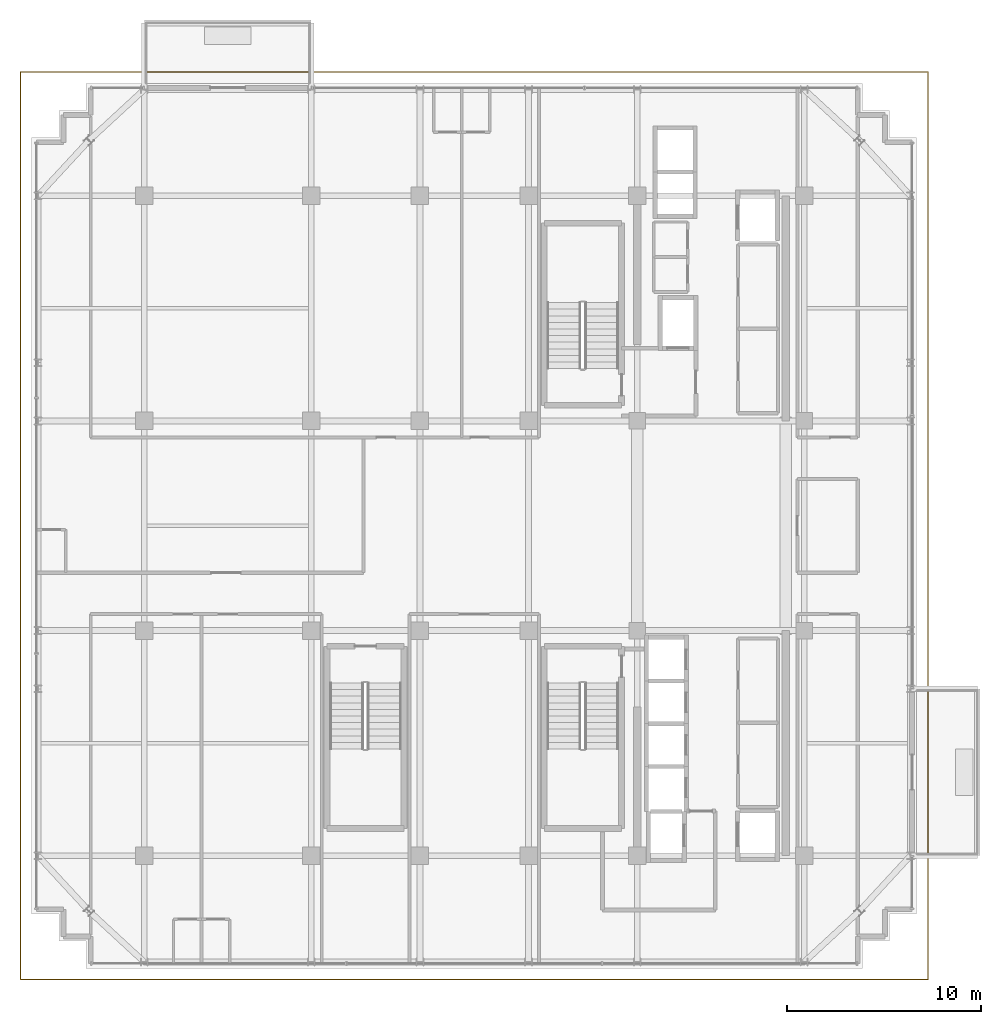
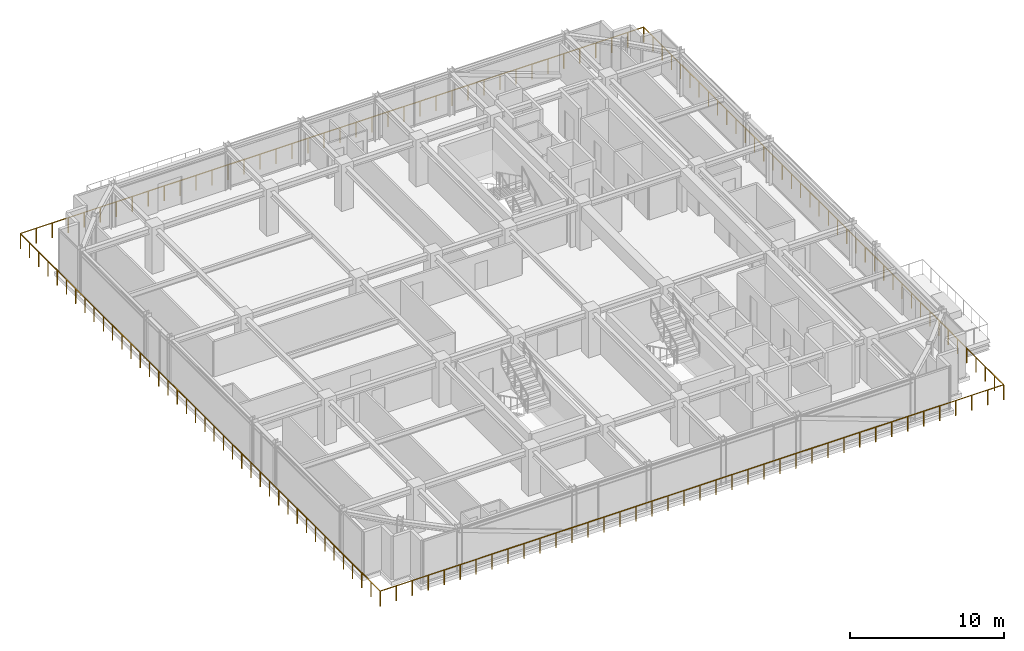
# One storey, part 29 of 32: 2 railings.
"""IFC4 building model written with IfcOpenShell, lengths in metres."""

from ifc_helpers import new_model, si_unit, direction, frame, origin, origin_2d, place, context, subcontext, project, spatial, circle, extrude, material, type_object, element, save


model = new_model("IFC4")

# Units and contexts
model_context = context("Model", 3, precision=1e-05, world=origin(), true_north=direction((0.0, 1.0)))
body_context = subcontext(model_context, "Body", "Model", "MODEL_VIEW")
ifc_project = project(units=[si_unit("LENGTHUNIT", "METRE"), si_unit("AREAUNIT", "SQUARE_METRE"), si_unit("VOLUMEUNIT", "CUBIC_METRE"), si_unit("PLANEANGLEUNIT", "RADIAN"), si_unit("MASSUNIT", "GRAM", prefix="KILO")], contexts=[model_context])

# Site, building, storey
site_placement = place(None, origin())
site = spatial("IfcSite", under=ifc_project, at=site_placement, CompositionType="ELEMENT")
building_placement = place(site_placement, origin())
building = spatial("IfcBuilding", under=site, at=building_placement, Name="Nahalor Promenade Grand Hotel", CompositionType="ELEMENT")
storey_placement = place(building_placement, frame((0.0, 0.0, 266.300048828125)))
storey = spatial("IfcBuildingStorey", under=building, at=storey_placement, Name="L68", CompositionType="ELEMENT", Elevation=266.300048828125)

# Railings
ifc_material = material(Name="Anodised Bronze Aluminium EN AW-6063 T6", Category="aluminium")
railing_type = type_object("IfcRailingType", Name="Bronze Balcony Guardrail 1200 mm", PredefinedType="GUARDRAIL", material=ifc_material)
railing_1_placement = place(storey_placement, frame((-23.3798828125, 23.3798828125, 0.0)))
element("IfcRailing", 1, at=railing_1_placement, inside=storey, type_object=railing_type, Name="RL-L68-SB1", PredefinedType="GUARDRAIL", context=body_context, shape_type="SweptSolid", body=[
    extrude(circle(Radius=0.024048, at=origin_2d()), frame((0.0, 0.0, 1.17578125), z_axis=(0.0, -1.0, 0.0), x_axis=(1.0, 0.0, 0.0)), (0.0, 0.0, 1.0), 46.7578125),
    extrude(circle(Radius=0.024048, at=origin_2d()), frame((0.001953125, -46.759765625, 1.17578125), z_axis=(1.0, 0.0, 0.0), x_axis=(0.0, 1.0, 0.0)), (0.0, 0.0, 1.0), 46.7578125),
    extrude(circle(Radius=0.020996, at=origin_2d()), origin(), (0.0, 0.0, 1.0), 1.14990234375),
    extrude(circle(Radius=0.020996, at=origin_2d()), frame((0.0, -1.198974609375, 0.0)), (0.0, 0.0, 1.0), 1.14990234375),
    extrude(circle(Radius=0.020996, at=origin_2d()), frame((0.0, -2.39794921875, 0.0)), (0.0, 0.0, 1.0), 1.14990234375),
    extrude(circle(Radius=0.020996, at=origin_2d()), frame((0.0, -3.596923828125, 0.0)), (0.0, 0.0, 1.0), 1.14990234375),
    extrude(circle(Radius=0.020996, at=origin_2d()), frame((0.0, -4.7958984375, 0.0)), (0.0, 0.0, 1.0), 1.14990234375),
    extrude(circle(Radius=0.020996, at=origin_2d()), frame((0.0, -5.994873046875, 0.0)), (0.0, 0.0, 1.0), 1.14990234375),
    extrude(circle(Radius=0.020996, at=origin_2d()), frame((0.0, -7.19384765625, 0.0)), (0.0, 0.0, 1.0), 1.14990234375),
    extrude(circle(Radius=0.020996, at=origin_2d()), frame((0.0, -8.392822265625, 0.0)), (0.0, 0.0, 1.0), 1.14990234375),
    extrude(circle(Radius=0.020996, at=origin_2d()), frame((0.0, -9.591796875, 0.0)), (0.0, 0.0, 1.0), 1.14990234375),
    extrude(circle(Radius=0.020996, at=origin_2d()), frame((0.0, -10.790771484375, 0.0)), (0.0, 0.0, 1.0), 1.14990234375),
    extrude(circle(Radius=0.020996, at=origin_2d()), frame((0.0, -11.98974609375, 0.0)), (0.0, 0.0, 1.0), 1.14990234375),
    extrude(circle(Radius=0.020996, at=origin_2d()), frame((0.0, -13.188720703125, 0.0)), (0.0, 0.0, 1.0), 1.14990234375),
    extrude(circle(Radius=0.020996, at=origin_2d()), frame((0.0, -14.3876953125, 0.0)), (0.0, 0.0, 1.0), 1.14990234375),
    extrude(circle(Radius=0.020996, at=origin_2d()), frame((0.0, -15.586669921875, 0.0)), (0.0, 0.0, 1.0), 1.14990234375),
    extrude(circle(Radius=0.020996, at=origin_2d()), frame((0.0, -16.78564453125, 0.0)), (0.0, 0.0, 1.0), 1.14990234375),
    extrude(circle(Radius=0.020996, at=origin_2d()), frame((0.0, -17.984619140625, 0.0)), (0.0, 0.0, 1.0), 1.14990234375),
    extrude(circle(Radius=0.020996, at=origin_2d()), frame((0.0, -19.18359375, 0.0)), (0.0, 0.0, 1.0), 1.14990234375),
    extrude(circle(Radius=0.020996, at=origin_2d()), frame((0.0, -20.382568359375, 0.0)), (0.0, 0.0, 1.0), 1.14990234375),
    extrude(circle(Radius=0.020996, at=origin_2d()), frame((0.0, -21.58154296875, 0.0)), (0.0, 0.0, 1.0), 1.14990234375),
    extrude(circle(Radius=0.020996, at=origin_2d()), frame((0.0, -22.780517578125, 0.0)), (0.0, 0.0, 1.0), 1.14990234375),
    extrude(circle(Radius=0.020996, at=origin_2d()), frame((0.0, -23.979248046875, 0.0)), (0.0, 0.0, 1.0), 1.14990234375),
    extrude(circle(Radius=0.020996, at=origin_2d()), frame((0.0, -25.17822265625, 0.0)), (0.0, 0.0, 1.0), 1.14990234375),
    extrude(circle(Radius=0.020996, at=origin_2d()), frame((0.0, -26.377197265625, 0.0)), (0.0, 0.0, 1.0), 1.14990234375),
    extrude(circle(Radius=0.020996, at=origin_2d()), frame((0.0, -27.576171875, 0.0)), (0.0, 0.0, 1.0), 1.14990234375),
    extrude(circle(Radius=0.020996, at=origin_2d()), frame((0.0, -28.775146484375, 0.0)), (0.0, 0.0, 1.0), 1.14990234375),
    extrude(circle(Radius=0.020996, at=origin_2d()), frame((0.0, -29.97412109375, 0.0)), (0.0, 0.0, 1.0), 1.14990234375),
    extrude(circle(Radius=0.020996, at=origin_2d()), frame((0.0, -31.173095703125, 0.0)), (0.0, 0.0, 1.0), 1.14990234375),
    extrude(circle(Radius=0.020996, at=origin_2d()), frame((0.0, -32.3720703125, 0.0)), (0.0, 0.0, 1.0), 1.14990234375),
    extrude(circle(Radius=0.020996, at=origin_2d()), frame((0.0, -33.571044921875, 0.0)), (0.0, 0.0, 1.0), 1.14990234375),
    extrude(circle(Radius=0.020996, at=origin_2d()), frame((0.0, -34.77001953125, 0.0)), (0.0, 0.0, 1.0), 1.14990234375),
    extrude(circle(Radius=0.020996, at=origin_2d()), frame((0.0, -35.968994140625, 0.0)), (0.0, 0.0, 1.0), 1.14990234375),
    extrude(circle(Radius=0.020996, at=origin_2d()), frame((0.0, -37.16796875, 0.0)), (0.0, 0.0, 1.0), 1.14990234375),
    extrude(circle(Radius=0.020996, at=origin_2d()), frame((0.0, -38.366943359375, 0.0)), (0.0, 0.0, 1.0), 1.14990234375),
    extrude(circle(Radius=0.020996, at=origin_2d()), frame((0.0, -39.56591796875, 0.0)), (0.0, 0.0, 1.0), 1.14990234375),
    extrude(circle(Radius=0.020996, at=origin_2d()), frame((0.0, -40.764892578125, 0.0)), (0.0, 0.0, 1.0), 1.14990234375),
    extrude(circle(Radius=0.020996, at=origin_2d()), frame((0.0, -41.9638671875, 0.0)), (0.0, 0.0, 1.0), 1.14990234375),
    extrude(circle(Radius=0.020996, at=origin_2d()), frame((0.0, -43.162841796875, 0.0)), (0.0, 0.0, 1.0), 1.14990234375),
    extrude(circle(Radius=0.020996, at=origin_2d()), frame((0.0, -44.36181640625, 0.0)), (0.0, 0.0, 1.0), 1.14990234375),
    extrude(circle(Radius=0.020996, at=origin_2d()), frame((0.0, -45.560791015625, 0.0)), (0.0, 0.0, 1.0), 1.14990234375),
    extrude(circle(Radius=0.020996, at=origin_2d()), frame((0.0, -46.759765625, 0.0)), (0.0, 0.0, 1.0), 1.14990234375),
    extrude(circle(Radius=0.020996, at=origin_2d()), frame((1.198974609375, -46.759765625, 0.0)), (0.0, 0.0, 1.0), 1.14990234375),
    extrude(circle(Radius=0.020996, at=origin_2d()), frame((2.39794921875, -46.759765625, 0.0)), (0.0, 0.0, 1.0), 1.14990234375),
    extrude(circle(Radius=0.020996, at=origin_2d()), frame((3.596923828125, -46.759765625, 0.0)), (0.0, 0.0, 1.0), 1.14990234375),
    extrude(circle(Radius=0.020996, at=origin_2d()), frame((4.7958984375, -46.759765625, 0.0)), (0.0, 0.0, 1.0), 1.14990234375),
    extrude(circle(Radius=0.020996, at=origin_2d()), frame((5.994873046875, -46.759765625, 0.0)), (0.0, 0.0, 1.0), 1.14990234375),
    extrude(circle(Radius=0.020996, at=origin_2d()), frame((7.19384765625, -46.759765625, 0.0)), (0.0, 0.0, 1.0), 1.14990234375),
    extrude(circle(Radius=0.020996, at=origin_2d()), frame((8.392822265625, -46.759765625, 0.0)), (0.0, 0.0, 1.0), 1.14990234375),
    extrude(circle(Radius=0.020996, at=origin_2d()), frame((9.591796875, -46.759765625, 0.0)), (0.0, 0.0, 1.0), 1.14990234375),
    extrude(circle(Radius=0.020996, at=origin_2d()), frame((10.790771484375, -46.759765625, 0.0)), (0.0, 0.0, 1.0), 1.14990234375),
    extrude(circle(Radius=0.020996, at=origin_2d()), frame((11.98974609375, -46.759765625, 0.0)), (0.0, 0.0, 1.0), 1.14990234375),
    extrude(circle(Radius=0.020996, at=origin_2d()), frame((13.188720703125, -46.759765625, 0.0)), (0.0, 0.0, 1.0), 1.14990234375),
    extrude(circle(Radius=0.020996, at=origin_2d()), frame((14.3876953125, -46.759765625, 0.0)), (0.0, 0.0, 1.0), 1.14990234375),
    extrude(circle(Radius=0.020996, at=origin_2d()), frame((15.586669921875, -46.759765625, 0.0)), (0.0, 0.0, 1.0), 1.14990234375),
    extrude(circle(Radius=0.020996, at=origin_2d()), frame((16.78564453125, -46.759765625, 0.0)), (0.0, 0.0, 1.0), 1.14990234375),
    extrude(circle(Radius=0.020996, at=origin_2d()), frame((17.984619140625, -46.759765625, 0.0)), (0.0, 0.0, 1.0), 1.14990234375),
    extrude(circle(Radius=0.020996, at=origin_2d()), frame((19.18359375, -46.759765625, 0.0)), (0.0, 0.0, 1.0), 1.14990234375),
    extrude(circle(Radius=0.020996, at=origin_2d()), frame((20.382568359375, -46.759765625, 0.0)), (0.0, 0.0, 1.0), 1.14990234375),
    extrude(circle(Radius=0.020996, at=origin_2d()), frame((21.58154296875, -46.759765625, 0.0)), (0.0, 0.0, 1.0), 1.14990234375),
    extrude(circle(Radius=0.020996, at=origin_2d()), frame((22.780517578125, -46.759765625, 0.0)), (0.0, 0.0, 1.0), 1.14990234375),
    extrude(circle(Radius=0.020996, at=origin_2d()), frame((23.979248046875, -46.759765625, 0.0)), (0.0, 0.0, 1.0), 1.14990234375),
    extrude(circle(Radius=0.020996, at=origin_2d()), frame((25.17822265625, -46.759765625, 0.0)), (0.0, 0.0, 1.0), 1.14990234375),
    extrude(circle(Radius=0.020996, at=origin_2d()), frame((26.377197265625, -46.759765625, 0.0)), (0.0, 0.0, 1.0), 1.14990234375),
    extrude(circle(Radius=0.020996, at=origin_2d()), frame((27.576171875, -46.759765625, 0.0)), (0.0, 0.0, 1.0), 1.14990234375),
    extrude(circle(Radius=0.020996, at=origin_2d()), frame((28.775146484375, -46.759765625, 0.0)), (0.0, 0.0, 1.0), 1.14990234375),
    extrude(circle(Radius=0.020996, at=origin_2d()), frame((29.97412109375, -46.759765625, 0.0)), (0.0, 0.0, 1.0), 1.14990234375),
    extrude(circle(Radius=0.020996, at=origin_2d()), frame((31.173095703125, -46.759765625, 0.0)), (0.0, 0.0, 1.0), 1.14990234375),
    extrude(circle(Radius=0.020996, at=origin_2d()), frame((32.3720703125, -46.759765625, 0.0)), (0.0, 0.0, 1.0), 1.14990234375),
    extrude(circle(Radius=0.020996, at=origin_2d()), frame((33.571044921875, -46.759765625, 0.0)), (0.0, 0.0, 1.0), 1.14990234375),
    extrude(circle(Radius=0.020996, at=origin_2d()), frame((34.77001953125, -46.759765625, 0.0)), (0.0, 0.0, 1.0), 1.14990234375),
    extrude(circle(Radius=0.020996, at=origin_2d()), frame((35.968994140625, -46.759765625, 0.0)), (0.0, 0.0, 1.0), 1.14990234375),
    extrude(circle(Radius=0.020996, at=origin_2d()), frame((37.16796875, -46.759765625, 0.0)), (0.0, 0.0, 1.0), 1.14990234375),
    extrude(circle(Radius=0.020996, at=origin_2d()), frame((38.366943359375, -46.759765625, 0.0)), (0.0, 0.0, 1.0), 1.14990234375),
    extrude(circle(Radius=0.020996, at=origin_2d()), frame((39.56591796875, -46.759765625, 0.0)), (0.0, 0.0, 1.0), 1.14990234375),
    extrude(circle(Radius=0.020996, at=origin_2d()), frame((40.764892578125, -46.759765625, 0.0)), (0.0, 0.0, 1.0), 1.14990234375),
    extrude(circle(Radius=0.020996, at=origin_2d()), frame((41.9638671875, -46.759765625, 0.0)), (0.0, 0.0, 1.0), 1.14990234375),
    extrude(circle(Radius=0.020996, at=origin_2d()), frame((43.162841796875, -46.759765625, 0.0)), (0.0, 0.0, 1.0), 1.14990234375),
    extrude(circle(Radius=0.020996, at=origin_2d()), frame((44.36181640625, -46.759765625, 0.0)), (0.0, 0.0, 1.0), 1.14990234375),
    extrude(circle(Radius=0.020996, at=origin_2d()), frame((45.560791015625, -46.759765625, 0.0)), (0.0, 0.0, 1.0), 1.14990234375),
    extrude(circle(Radius=0.020996, at=origin_2d()), frame((46.759765625, -46.759765625, 0.0)), (0.0, 0.0, 1.0), 1.14990234375),
])
railing_2_placement = place(storey_placement, frame((23.3798828125, -23.3798828125, 0.0)))
element("IfcRailing", 2, at=railing_2_placement, inside=storey, type_object=railing_type, Name="RL-L68-SB2", PredefinedType="GUARDRAIL", context=body_context, shape_type="SweptSolid", body=[
    extrude(circle(Radius=0.024048, at=origin_2d()), frame((0.0, 0.0, 1.17578125), z_axis=(0.0, 1.0, 0.0), x_axis=(-1.0, 0.0, 0.0)), (0.0, 0.0, 1.0), 46.7578125),
    extrude(circle(Radius=0.024048, at=origin_2d()), frame((-0.001953125, 46.759765625, 1.17578125), z_axis=(-1.0, 0.0, 0.0), x_axis=(0.0, -1.0, 0.0)), (0.0, 0.0, 1.0), 46.7578125),
    extrude(circle(Radius=0.020996, at=origin_2d()), origin(), (0.0, 0.0, 1.0), 1.14990234375),
    extrude(circle(Radius=0.020996, at=origin_2d()), frame((0.0, 1.198974609375, 0.0)), (0.0, 0.0, 1.0), 1.14990234375),
    extrude(circle(Radius=0.020996, at=origin_2d()), frame((0.0, 2.39794921875, 0.0)), (0.0, 0.0, 1.0), 1.14990234375),
    extrude(circle(Radius=0.020996, at=origin_2d()), frame((0.0, 3.596923828125, 0.0)), (0.0, 0.0, 1.0), 1.14990234375),
    extrude(circle(Radius=0.020996, at=origin_2d()), frame((0.0, 4.7958984375, 0.0)), (0.0, 0.0, 1.0), 1.14990234375),
    extrude(circle(Radius=0.020996, at=origin_2d()), frame((0.0, 5.994873046875, 0.0)), (0.0, 0.0, 1.0), 1.14990234375),
    extrude(circle(Radius=0.020996, at=origin_2d()), frame((0.0, 7.19384765625, 0.0)), (0.0, 0.0, 1.0), 1.14990234375),
    extrude(circle(Radius=0.020996, at=origin_2d()), frame((0.0, 8.392822265625, 0.0)), (0.0, 0.0, 1.0), 1.14990234375),
    extrude(circle(Radius=0.020996, at=origin_2d()), frame((0.0, 9.591796875, 0.0)), (0.0, 0.0, 1.0), 1.14990234375),
    extrude(circle(Radius=0.020996, at=origin_2d()), frame((0.0, 10.790771484375, 0.0)), (0.0, 0.0, 1.0), 1.14990234375),
    extrude(circle(Radius=0.020996, at=origin_2d()), frame((0.0, 11.98974609375, 0.0)), (0.0, 0.0, 1.0), 1.14990234375),
    extrude(circle(Radius=0.020996, at=origin_2d()), frame((0.0, 13.188720703125, 0.0)), (0.0, 0.0, 1.0), 1.14990234375),
    extrude(circle(Radius=0.020996, at=origin_2d()), frame((0.0, 14.3876953125, 0.0)), (0.0, 0.0, 1.0), 1.14990234375),
    extrude(circle(Radius=0.020996, at=origin_2d()), frame((0.0, 15.586669921875, 0.0)), (0.0, 0.0, 1.0), 1.14990234375),
    extrude(circle(Radius=0.020996, at=origin_2d()), frame((0.0, 16.78564453125, 0.0)), (0.0, 0.0, 1.0), 1.14990234375),
    extrude(circle(Radius=0.020996, at=origin_2d()), frame((0.0, 17.984619140625, 0.0)), (0.0, 0.0, 1.0), 1.14990234375),
    extrude(circle(Radius=0.020996, at=origin_2d()), frame((0.0, 19.18359375, 0.0)), (0.0, 0.0, 1.0), 1.14990234375),
    extrude(circle(Radius=0.020996, at=origin_2d()), frame((0.0, 20.382568359375, 0.0)), (0.0, 0.0, 1.0), 1.14990234375),
    extrude(circle(Radius=0.020996, at=origin_2d()), frame((0.0, 21.58154296875, 0.0)), (0.0, 0.0, 1.0), 1.14990234375),
    extrude(circle(Radius=0.020996, at=origin_2d()), frame((0.0, 22.780517578125, 0.0)), (0.0, 0.0, 1.0), 1.14990234375),
    extrude(circle(Radius=0.020996, at=origin_2d()), frame((0.0, 23.979248046875, 0.0)), (0.0, 0.0, 1.0), 1.14990234375),
    extrude(circle(Radius=0.020996, at=origin_2d()), frame((0.0, 25.17822265625, 0.0)), (0.0, 0.0, 1.0), 1.14990234375),
    extrude(circle(Radius=0.020996, at=origin_2d()), frame((0.0, 26.377197265625, 0.0)), (0.0, 0.0, 1.0), 1.14990234375),
    extrude(circle(Radius=0.020996, at=origin_2d()), frame((0.0, 27.576171875, 0.0)), (0.0, 0.0, 1.0), 1.14990234375),
    extrude(circle(Radius=0.020996, at=origin_2d()), frame((0.0, 28.775146484375, 0.0)), (0.0, 0.0, 1.0), 1.14990234375),
    extrude(circle(Radius=0.020996, at=origin_2d()), frame((0.0, 29.97412109375, 0.0)), (0.0, 0.0, 1.0), 1.14990234375),
    extrude(circle(Radius=0.020996, at=origin_2d()), frame((0.0, 31.173095703125, 0.0)), (0.0, 0.0, 1.0), 1.14990234375),
    extrude(circle(Radius=0.020996, at=origin_2d()), frame((0.0, 32.3720703125, 0.0)), (0.0, 0.0, 1.0), 1.14990234375),
    extrude(circle(Radius=0.020996, at=origin_2d()), frame((0.0, 33.571044921875, 0.0)), (0.0, 0.0, 1.0), 1.14990234375),
    extrude(circle(Radius=0.020996, at=origin_2d()), frame((0.0, 34.77001953125, 0.0)), (0.0, 0.0, 1.0), 1.14990234375),
    extrude(circle(Radius=0.020996, at=origin_2d()), frame((0.0, 35.968994140625, 0.0)), (0.0, 0.0, 1.0), 1.14990234375),
    extrude(circle(Radius=0.020996, at=origin_2d()), frame((0.0, 37.16796875, 0.0)), (0.0, 0.0, 1.0), 1.14990234375),
    extrude(circle(Radius=0.020996, at=origin_2d()), frame((0.0, 38.366943359375, 0.0)), (0.0, 0.0, 1.0), 1.14990234375),
    extrude(circle(Radius=0.020996, at=origin_2d()), frame((0.0, 39.56591796875, 0.0)), (0.0, 0.0, 1.0), 1.14990234375),
    extrude(circle(Radius=0.020996, at=origin_2d()), frame((0.0, 40.764892578125, 0.0)), (0.0, 0.0, 1.0), 1.14990234375),
    extrude(circle(Radius=0.020996, at=origin_2d()), frame((0.0, 41.9638671875, 0.0)), (0.0, 0.0, 1.0), 1.14990234375),
    extrude(circle(Radius=0.020996, at=origin_2d()), frame((0.0, 43.162841796875, 0.0)), (0.0, 0.0, 1.0), 1.14990234375),
    extrude(circle(Radius=0.020996, at=origin_2d()), frame((0.0, 44.36181640625, 0.0)), (0.0, 0.0, 1.0), 1.14990234375),
    extrude(circle(Radius=0.020996, at=origin_2d()), frame((0.0, 45.560791015625, 0.0)), (0.0, 0.0, 1.0), 1.14990234375),
    extrude(circle(Radius=0.020996, at=origin_2d()), frame((0.0, 46.759765625, 0.0)), (0.0, 0.0, 1.0), 1.14990234375),
    extrude(circle(Radius=0.020996, at=origin_2d()), frame((-1.198974609375, 46.759765625, 0.0)), (0.0, 0.0, 1.0), 1.14990234375),
    extrude(circle(Radius=0.020996, at=origin_2d()), frame((-2.39794921875, 46.759765625, 0.0)), (0.0, 0.0, 1.0), 1.14990234375),
    extrude(circle(Radius=0.020996, at=origin_2d()), frame((-3.596923828125, 46.759765625, 0.0)), (0.0, 0.0, 1.0), 1.14990234375),
    extrude(circle(Radius=0.020996, at=origin_2d()), frame((-4.7958984375, 46.759765625, 0.0)), (0.0, 0.0, 1.0), 1.14990234375),
    extrude(circle(Radius=0.020996, at=origin_2d()), frame((-5.994873046875, 46.759765625, 0.0)), (0.0, 0.0, 1.0), 1.14990234375),
    extrude(circle(Radius=0.020996, at=origin_2d()), frame((-7.19384765625, 46.759765625, 0.0)), (0.0, 0.0, 1.0), 1.14990234375),
    extrude(circle(Radius=0.020996, at=origin_2d()), frame((-8.392822265625, 46.759765625, 0.0)), (0.0, 0.0, 1.0), 1.14990234375),
    extrude(circle(Radius=0.020996, at=origin_2d()), frame((-9.591796875, 46.759765625, 0.0)), (0.0, 0.0, 1.0), 1.14990234375),
    extrude(circle(Radius=0.020996, at=origin_2d()), frame((-10.790771484375, 46.759765625, 0.0)), (0.0, 0.0, 1.0), 1.14990234375),
    extrude(circle(Radius=0.020996, at=origin_2d()), frame((-11.98974609375, 46.759765625, 0.0)), (0.0, 0.0, 1.0), 1.14990234375),
    extrude(circle(Radius=0.020996, at=origin_2d()), frame((-13.188720703125, 46.759765625, 0.0)), (0.0, 0.0, 1.0), 1.14990234375),
    extrude(circle(Radius=0.020996, at=origin_2d()), frame((-14.3876953125, 46.759765625, 0.0)), (0.0, 0.0, 1.0), 1.14990234375),
    extrude(circle(Radius=0.020996, at=origin_2d()), frame((-15.586669921875, 46.759765625, 0.0)), (0.0, 0.0, 1.0), 1.14990234375),
    extrude(circle(Radius=0.020996, at=origin_2d()), frame((-16.78564453125, 46.759765625, 0.0)), (0.0, 0.0, 1.0), 1.14990234375),
    extrude(circle(Radius=0.020996, at=origin_2d()), frame((-17.984619140625, 46.759765625, 0.0)), (0.0, 0.0, 1.0), 1.14990234375),
    extrude(circle(Radius=0.020996, at=origin_2d()), frame((-19.18359375, 46.759765625, 0.0)), (0.0, 0.0, 1.0), 1.14990234375),
    extrude(circle(Radius=0.020996, at=origin_2d()), frame((-20.382568359375, 46.759765625, 0.0)), (0.0, 0.0, 1.0), 1.14990234375),
    extrude(circle(Radius=0.020996, at=origin_2d()), frame((-21.58154296875, 46.759765625, 0.0)), (0.0, 0.0, 1.0), 1.14990234375),
    extrude(circle(Radius=0.020996, at=origin_2d()), frame((-22.780517578125, 46.759765625, 0.0)), (0.0, 0.0, 1.0), 1.14990234375),
    extrude(circle(Radius=0.020996, at=origin_2d()), frame((-23.979248046875, 46.759765625, 0.0)), (0.0, 0.0, 1.0), 1.14990234375),
    extrude(circle(Radius=0.020996, at=origin_2d()), frame((-25.17822265625, 46.759765625, 0.0)), (0.0, 0.0, 1.0), 1.14990234375),
    extrude(circle(Radius=0.020996, at=origin_2d()), frame((-26.377197265625, 46.759765625, 0.0)), (0.0, 0.0, 1.0), 1.14990234375),
    extrude(circle(Radius=0.020996, at=origin_2d()), frame((-27.576171875, 46.759765625, 0.0)), (0.0, 0.0, 1.0), 1.14990234375),
    extrude(circle(Radius=0.020996, at=origin_2d()), frame((-28.775146484375, 46.759765625, 0.0)), (0.0, 0.0, 1.0), 1.14990234375),
    extrude(circle(Radius=0.020996, at=origin_2d()), frame((-29.97412109375, 46.759765625, 0.0)), (0.0, 0.0, 1.0), 1.14990234375),
    extrude(circle(Radius=0.020996, at=origin_2d()), frame((-31.173095703125, 46.759765625, 0.0)), (0.0, 0.0, 1.0), 1.14990234375),
    extrude(circle(Radius=0.020996, at=origin_2d()), frame((-32.3720703125, 46.759765625, 0.0)), (0.0, 0.0, 1.0), 1.14990234375),
    extrude(circle(Radius=0.020996, at=origin_2d()), frame((-33.571044921875, 46.759765625, 0.0)), (0.0, 0.0, 1.0), 1.14990234375),
    extrude(circle(Radius=0.020996, at=origin_2d()), frame((-34.77001953125, 46.759765625, 0.0)), (0.0, 0.0, 1.0), 1.14990234375),
    extrude(circle(Radius=0.020996, at=origin_2d()), frame((-35.968994140625, 46.759765625, 0.0)), (0.0, 0.0, 1.0), 1.14990234375),
    extrude(circle(Radius=0.020996, at=origin_2d()), frame((-37.16796875, 46.759765625, 0.0)), (0.0, 0.0, 1.0), 1.14990234375),
    extrude(circle(Radius=0.020996, at=origin_2d()), frame((-38.366943359375, 46.759765625, 0.0)), (0.0, 0.0, 1.0), 1.14990234375),
    extrude(circle(Radius=0.020996, at=origin_2d()), frame((-39.56591796875, 46.759765625, 0.0)), (0.0, 0.0, 1.0), 1.14990234375),
    extrude(circle(Radius=0.020996, at=origin_2d()), frame((-40.764892578125, 46.759765625, 0.0)), (0.0, 0.0, 1.0), 1.14990234375),
    extrude(circle(Radius=0.020996, at=origin_2d()), frame((-41.9638671875, 46.759765625, 0.0)), (0.0, 0.0, 1.0), 1.14990234375),
    extrude(circle(Radius=0.020996, at=origin_2d()), frame((-43.162841796875, 46.759765625, 0.0)), (0.0, 0.0, 1.0), 1.14990234375),
    extrude(circle(Radius=0.020996, at=origin_2d()), frame((-44.36181640625, 46.759765625, 0.0)), (0.0, 0.0, 1.0), 1.14990234375),
    extrude(circle(Radius=0.020996, at=origin_2d()), frame((-45.560791015625, 46.759765625, 0.0)), (0.0, 0.0, 1.0), 1.14990234375),
    extrude(circle(Radius=0.020996, at=origin_2d()), frame((-46.759765625, 46.759765625, 0.0)), (0.0, 0.0, 1.0), 1.14990234375),
])

save(model, "model.ifc")
